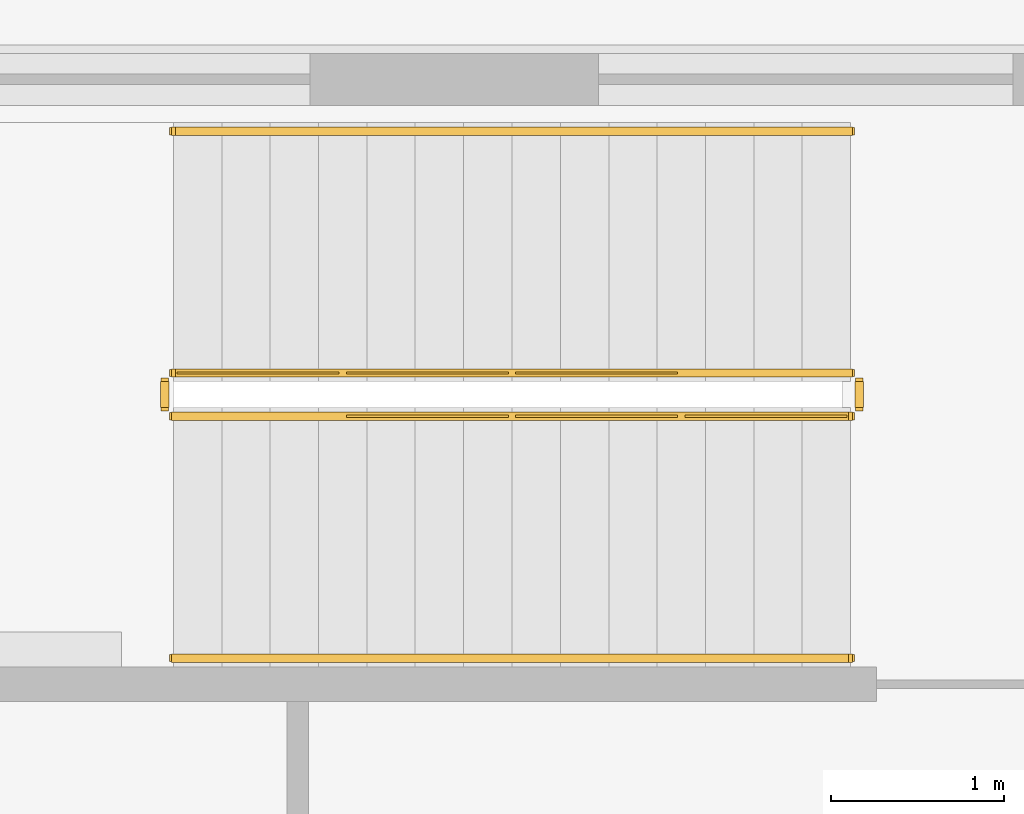
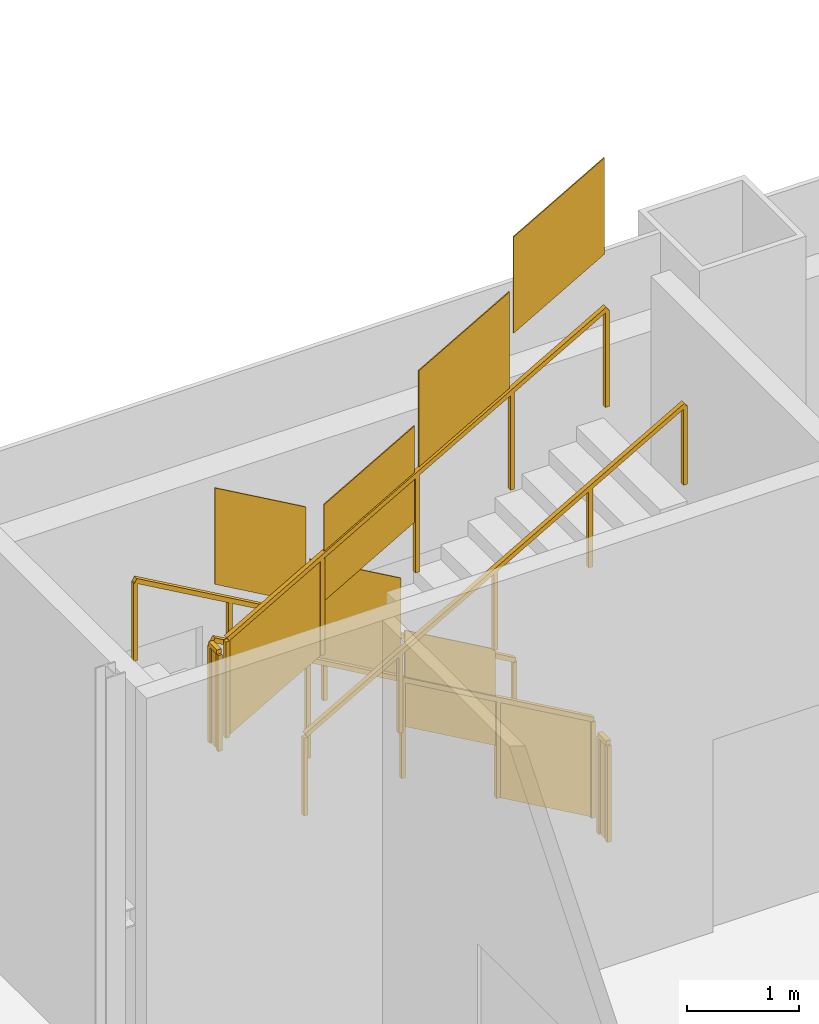
# One storey, part 23 of 26: 6 railings.
"""IFC4 building model written with IfcOpenShell, lengths in metres."""

import ifcopenshell
import ifcopenshell.guid

model = None  # the IFC model being written
_history = None  # IfcOwnerHistory: only IFC2X3 demands one
_inside = {}  # id of a spatial element -> (the spatial element, [elements in it])
_under = {}  # id of a project, library or spatial element -> (it, [spatial elements below it])
_declared = {}  # id of a project -> (the project, [libraries it declares])
_typed = {}  # id of a type object -> (the type object, [elements of that type])
_made_of = {}  # id of a material, layer set ... -> (it, [elements and type objects made of it])


def new_model(schema):
    """Start an empty IFC model of exactly this schema.

    Asked for "IFC4X3", IfcOpenShell would pick the latest addendum, in which some entities
    have other attributes; the version numbers below select the first issue.
    IFC2X3 requires an IfcOwnerHistory on every rooted entity: one is made here for all.
    """
    global model, _history
    if schema == "IFC4X3":
        model = ifcopenshell.file(schema_version=(4, 3, 0, 0))
    else:
        model = ifcopenshell.file(schema=schema)
    _inside.clear()
    _under.clear()
    _declared.clear()
    _typed.clear()
    _made_of.clear()
    _history = None
    if model.schema == "IFC2X3":
        org = make("IfcOrganization", Name="unknown")
        user = make(
            "IfcPersonAndOrganization",
            ThePerson=make("IfcPerson", FamilyName="unknown"),
            TheOrganization=org,
        )
        app = make(
            "IfcApplication",
            ApplicationDeveloper=org,
            Version="unknown",
            ApplicationFullName="unknown",
            ApplicationIdentifier="unknown",
        )
        _history = make(
            "IfcOwnerHistory",
            OwningUser=user,
            OwningApplication=app,
            ChangeAction="ADDED",
            CreationDate=0,
        )
    return model


def make(cls, **values):
    """One entity of the class cls with the attributes given. An attribute that is None is left unset."""
    return model.create_entity(
        cls, **{name: value for name, value in values.items() if value is not None}
    )


def rooted(cls, **values):
    """An entity with a GlobalId (a new one), such as an element, a storey or a relation."""
    return make(cls, GlobalId=ifcopenshell.guid.new(), OwnerHistory=_history, **values)


def si_unit(unit_type, name, prefix=None):
    """IfcSIUnit, for example si_unit("LENGTHUNIT", "METRE", prefix="MILLI")."""
    return make("IfcSIUnit", UnitType=unit_type, Prefix=prefix, Name=name)


def assignment(units):
    """IfcUnitAssignment: the units of a project."""
    return None if units is None else make("IfcUnitAssignment", Units=units)


def point(xyz):
    """IfcCartesianPoint."""
    return None if xyz is None else make("IfcCartesianPoint", Coordinates=xyz)


def direction(xyz):
    """IfcDirection."""
    return None if xyz is None else make("IfcDirection", DirectionRatios=xyz)


def frame(location, z_axis=None, x_axis=None):
    """IfcAxis2Placement3D, a coordinate frame: its origin and axes. An axis left out is left unset."""
    return make(
        "IfcAxis2Placement3D",
        Location=point(location),
        Axis=direction(z_axis),
        RefDirection=direction(x_axis),
    )


def frame_2d(location, x_axis=None):
    """IfcAxis2Placement2D, a coordinate frame in the plane: its origin and x axis."""
    return make(
        "IfcAxis2Placement2D", Location=point(location), RefDirection=direction(x_axis)
    )


def origin():
    """The frame at (0, 0, 0) with its axes left unset."""
    return frame((0.0, 0.0, 0.0))


def origin_2d():
    """The frame at (0, 0) in the plane with its x axis left unset."""
    return frame_2d((0.0, 0.0))


def place(relative_to, where):
    """IfcLocalPlacement: puts the frame where relative to a parent placement (None: the world)."""
    return make(
        "IfcLocalPlacement", PlacementRelTo=relative_to, RelativePlacement=where
    )


def context(
    kind, dimensions, precision=None, world=None, true_north=None, identifier=None
):
    """IfcGeometricRepresentationContext, for example the 3D "Model" context."""
    return make(
        "IfcGeometricRepresentationContext",
        ContextIdentifier=identifier,
        ContextType=kind,
        CoordinateSpaceDimension=dimensions,
        Precision=precision,
        WorldCoordinateSystem=world,
        TrueNorth=true_north,
    )


def subcontext(parent, identifier, kind, view, scale=None):
    """IfcGeometricRepresentationSubContext, for example "Body" below "Model"."""
    return make(
        "IfcGeometricRepresentationSubContext",
        ContextIdentifier=identifier,
        ContextType=kind,
        ParentContext=parent,
        TargetScale=scale,
        TargetView=view,
    )


def project(units=None, contexts=None):
    """IfcProject with its units and contexts."""
    return rooted(
        "IfcProject",
        Name="project",
        RepresentationContexts=contexts,
        UnitsInContext=assignment(units),
    )


def spatial(cls, under=None, at=None, **own):
    """A site, building, storey or space (cls), placed at a placement, below another one or the project."""
    s = rooted(cls, ObjectPlacement=at, **own)
    if under is not None:
        _under.setdefault(under.id(), (under, []))[1].append(s)
    return s


def polyline(points):
    """IfcPolyline through the points."""
    return make("IfcPolyline", Points=[point(p) for p in points])


def profile(cls, at=None, kind="AREA", **sizes):
    """A parametric profile (cls). Its sizes go by their IFC names, for example OverallWidth=200.0."""
    return make(cls, ProfileType=kind, Position=at, **sizes)


def rectangle(**sizes):
    """IfcRectangleProfileDef."""
    return profile("IfcRectangleProfileDef", **sizes)


def outline(outer, holes=None, kind="AREA"):
    """IfcArbitraryClosedProfileDef: a profile drawn as a closed curve; with holes, ...WithVoids."""
    if holes is None:
        return make("IfcArbitraryClosedProfileDef", ProfileType=kind, OuterCurve=outer)
    return make(
        "IfcArbitraryProfileDefWithVoids",
        ProfileType=kind,
        OuterCurve=outer,
        InnerCurves=holes,
    )


def extrude(swept, where, along, depth):
    """IfcExtrudedAreaSolid: the profile swept, set in the frame where, extruded along a direction by depth."""
    return make(
        "IfcExtrudedAreaSolid",
        SweptArea=swept,
        Position=where,
        ExtrudedDirection=direction(along),
        Depth=depth,
    )


def shape(context_of_items, identifier, shape_type, items):
    """IfcShapeRepresentation: the items that make up one representation, for example the "Body"."""
    return make(
        "IfcShapeRepresentation",
        ContextOfItems=context_of_items,
        RepresentationIdentifier=identifier,
        RepresentationType=shape_type,
        Items=items,
    )


def material(Name=None, Category=None):
    """IfcMaterial."""
    return make("IfcMaterial", Name=Name, Category=Category)


def made_of(thing, what):
    """Note that an element or type object is made of a material, layer set ...; save() writes the relation."""
    if what is not None:
        _made_of.setdefault(what.id(), (what, []))[1].append(thing)
    return thing


def type_object(cls, material=None, **own):
    """A type object (cls), such as IfcWallType, which elements share."""
    return made_of(rooted(cls, **own), material)


def element(
    cls,
    number,
    at=None,
    inside=None,
    cuts=None,
    type_object=None,
    material=None,
    context=None,
    identifier="Body",
    shape_type=None,
    held_by="IfcProductDefinitionShape",
    body=None,
    shapes=None,
    **own,
):
    """One element of the class cls, such as IfcWall. Its Tag is "e" and its number.

    at: its placement. inside: the storey or other place that contains it. cuts: it is an
    opening in that element (IfcRelVoidsElement). A single representation is given by context,
    identifier, shape_type and body (its items); several are given by shapes. held_by: the class
    of the entity that holds the representations. save() writes the other relations.
    """
    e = rooted(cls, Tag="e%d" % number, ObjectPlacement=at, **own)
    if body is not None:
        shapes = [shape(context, identifier, shape_type, body)]
    if shapes is not None:
        e.Representation = make(held_by, Representations=shapes)
    if inside is not None:
        _inside.setdefault(inside.id(), (inside, []))[1].append(e)
    if cuts is not None:
        rooted(
            "IfcRelVoidsElement", RelatingBuildingElement=cuts, RelatedOpeningElement=e
        )
    if type_object is not None:
        _typed.setdefault(type_object.id(), (type_object, []))[1].append(e)
    return made_of(e, material)


def aggregate(whole, parts):
    """IfcRelAggregates: a whole, such as a stair, and the parts it consists of."""
    return rooted("IfcRelAggregates", RelatingObject=whole, RelatedObjects=parts)


def save(model, path):
    """Write the relations noted so far, then the file.

    IfcRelAggregates (storeys below a building ...), IfcRelContainedInSpatialStructure (elements
    in a storey), IfcRelDefinesByType, IfcRelAssociatesMaterial and IfcRelDeclares: one each for
    every whole, place, type object, material and project.
    """
    for whole, parts in _under.values():
        aggregate(whole, parts)
    for where, things in _inside.values():
        rooted(
            "IfcRelContainedInSpatialStructure",
            RelatedElements=things,
            RelatingStructure=where,
        )
    for kind, things in _typed.values():
        rooted("IfcRelDefinesByType", RelatedObjects=things, RelatingType=kind)
    for what, things in _made_of.values():
        rooted("IfcRelAssociatesMaterial", RelatedObjects=things, RelatingMaterial=what)
    for by, libraries in _declared.values():
        rooted("IfcRelDeclares", RelatingContext=by, RelatedDefinitions=libraries)
    model.write(path)


model = new_model("IFC4")

# Units and contexts
model_context = context("Model", 3, precision=1e-05, world=origin(), true_north=direction((0.0, 1.0)))
body_context = subcontext(model_context, "Body", "Model", "MODEL_VIEW")
ifc_project = project(units=[si_unit("LENGTHUNIT", "METRE"), si_unit("AREAUNIT", "SQUARE_METRE"), si_unit("VOLUMEUNIT", "CUBIC_METRE"), si_unit("PLANEANGLEUNIT", "RADIAN"), si_unit("MASSUNIT", "GRAM", prefix="KILO")], contexts=[model_context])

# Site, building, storey
site_placement = place(None, origin())
site = spatial("IfcSite", under=ifc_project, at=site_placement, CompositionType="ELEMENT")
building_placement = place(site_placement, origin())
building = spatial("IfcBuilding", under=site, at=building_placement, Name="Cairn Pilgrim Tower", CompositionType="ELEMENT")
storey_placement = place(building_placement, frame((0.0, 0.0, 21.0)))
storey = spatial("IfcBuildingStorey", under=building, at=storey_placement, Name="L03", CompositionType="ELEMENT", Elevation=21.0)

# Railings
ifc_material = material(Name="Painted steel", Category="steel")
railing_type_1 = type_object("IfcRailingType", Name="PODIUM STAIR GUARD 1100", PredefinedType="GUARDRAIL", material=ifc_material)
railing_1_placement = place(storey_placement, frame((-25.60009765625, 26.5, 0.159912109375)))
element("IfcRailing", 1, at=railing_1_placement, inside=storey, type_object=railing_type_1, Name="L03 ST-HN stair guard 1", PredefinedType="GUARDRAIL", context=body_context, shape_type="SweptSolid", body=[
    extrude(rectangle(XDim=0.048095703125, YDim=0.048095703125, at=origin_2d()), frame((0.0, 0.0, 1.076171875), z_axis=(-0.868239814368, 0.0, 0.496144761885), x_axis=(0.0, -1.0, 0.0)), (0.0, 0.0, 1.0), 4.514892578125),
    extrude(rectangle(XDim=0.0419921875, YDim=0.0419921875, at=origin_2d()), origin(), (0.0, 0.0, 1.0), 1.052001953125),
    extrude(rectangle(XDim=0.0419921875, YDim=0.0419921875, at=origin_2d()), frame((-0.97998046875, 0.0, 0.56005859375)), (0.0, 0.0, 1.0), 1.052001953125),
    extrude(rectangle(XDim=0.0419921875, YDim=0.0419921875, at=origin_2d()), frame((-1.9599609375, 0.0, 1.1201171875)), (0.0, 0.0, 1.0), 1.052001953125),
    extrude(rectangle(XDim=0.0419921875, YDim=0.0419921875, at=origin_2d()), frame((-2.93994140625, 0.0, 1.679931640625)), (0.0, 0.0, 1.0), 1.052001953125),
    extrude(rectangle(XDim=0.0419921875, YDim=0.0419921875, at=origin_2d()), frame((-3.919921875, 0.0, 2.239990234375)), (0.0, 0.0, 1.0), 1.052001953125),
    extrude(outline(polyline([(0.02099609375, 0.011962890625), (0.958984375, 0.548095703125), (0.958984375, 1.60009765625), (0.02099609375, 1.06396484375), (0.02099609375, 0.011962890625)])), frame((0.0, -0.005859375, 0.0), z_axis=(0.0, 1.0, 0.0), x_axis=(-1.0, 0.0, 0.0)), (0.0, 0.0, 1.0), 0.011962890625),
    extrude(outline(polyline([(0.02099609375, 0.572021484375), (0.958984375, 1.10791015625), (0.958984375, 2.159912109375), (0.02099609375, 1.6240234375), (0.02099609375, 0.572021484375)])), frame((-0.97998046875, -0.005859375, 0.56005859375), z_axis=(0.0, 1.0, 0.0), x_axis=(-1.0, 0.0, 0.0)), (0.0, 0.0, 1.0), 0.011962890625),
    extrude(outline(polyline([(0.02099609375, 1.132080078125), (0.958984375, 1.66796875), (0.958984375, 2.719970703125), (0.02099609375, 2.18408203125), (0.02099609375, 1.132080078125)])), frame((-1.9599609375, -0.005859375, 1.1201171875), z_axis=(0.0, 1.0, 0.0), x_axis=(-1.0, 0.0, 0.0)), (0.0, 0.0, 1.0), 0.011962890625),
    extrude(outline(polyline([(0.02099609375, 1.69189453125), (0.958984375, 2.22802734375), (0.958984375, 3.280029296875), (0.02099609375, 2.743896484375), (0.02099609375, 1.69189453125)])), frame((-2.93994140625, -0.005859375, 1.679931640625), z_axis=(0.0, 1.0, 0.0), x_axis=(-1.0, 0.0, 0.0)), (0.0, 0.0, 1.0), 0.011962890625),
])
railing_2_placement = place(storey_placement, frame((-29.570068359375, 26.449951171875, 2.39990234375)))
element("IfcRailing", 2, at=railing_2_placement, inside=storey, type_object=railing_type_1, Name="L03 ST-HN stair guard 2", PredefinedType="GUARDRAIL", context=body_context, shape_type="SweptSolid", body=[
    extrude(rectangle(XDim=0.048095703125, YDim=0.048095703125, at=origin_2d()), frame((0.0, 0.0, 1.076171875), z_axis=(0.0, -1.0, 0.0), x_axis=(1.0, 0.0, 0.0)), (0.0, 0.0, 1.0), 0.14990234375),
    extrude(rectangle(XDim=0.0419921875, YDim=0.0419921875, at=origin_2d()), origin(), (0.0, 0.0, 1.0), 1.052001953125),
    extrude(rectangle(XDim=0.0419921875, YDim=0.0419921875, at=origin_2d()), frame((0.0, -0.14990234375, 0.0)), (0.0, 0.0, 1.0), 1.052001953125),
    extrude(outline(polyline([(0.02099609375, 0.0), (0.12890625, 0.0), (0.12890625, 1.052001953125), (0.02099609375, 1.052001953125), (0.02099609375, 0.0)])), frame((0.005859375, 0.0, 0.0), z_axis=(-1.0, 0.0, 0.0), x_axis=(0.0, -1.0, 0.0)), (0.0, 0.0, 1.0), 0.011962890625),
])
railing_3_placement = place(storey_placement, frame((-29.52001953125, 26.25, 2.56005859375)))
element("IfcRailing", 3, at=railing_3_placement, inside=storey, type_object=railing_type_1, Name="L03 ST-HN stair guard 3", PredefinedType="GUARDRAIL", context=body_context, shape_type="SweptSolid", body=[
    extrude(rectangle(XDim=0.048095703125, YDim=0.048095703125, at=origin_2d()), frame((0.0, 0.0, 1.076171875), z_axis=(0.868239814368, 0.0, 0.496144761885), x_axis=(0.0, 1.0, 0.0)), (0.0, 0.0, 1.0), 4.514892578125),
    extrude(rectangle(XDim=0.0419921875, YDim=0.0419921875, at=origin_2d()), origin(), (0.0, 0.0, 1.0), 1.052001953125),
    extrude(rectangle(XDim=0.0419921875, YDim=0.0419921875, at=origin_2d()), frame((0.97998046875, 0.0, 0.56005859375)), (0.0, 0.0, 1.0), 1.052001953125),
    extrude(rectangle(XDim=0.0419921875, YDim=0.0419921875, at=origin_2d()), frame((1.9599609375, 0.0, 1.1201171875)), (0.0, 0.0, 1.0), 1.052001953125),
    extrude(rectangle(XDim=0.0419921875, YDim=0.0419921875, at=origin_2d()), frame((2.93994140625, 0.0, 1.679931640625)), (0.0, 0.0, 1.0), 1.052001953125),
    extrude(rectangle(XDim=0.0419921875, YDim=0.0419921875, at=origin_2d()), frame((3.919921875, 0.0, 2.239990234375)), (0.0, 0.0, 1.0), 1.052001953125),
    extrude(outline(polyline([(0.02099609375, 0.011962890625), (0.958984375, 0.548095703125), (0.958984375, 1.60009765625), (0.02099609375, 1.06396484375), (0.02099609375, 0.011962890625)])), frame((0.0, 0.005859375, 0.0), z_axis=(0.0, -1.0, 0.0), x_axis=(1.0, 0.0, 0.0)), (0.0, 0.0, 1.0), 0.011962890625),
    extrude(outline(polyline([(0.02099609375, 0.572021484375), (0.958984375, 1.10791015625), (0.958984375, 2.159912109375), (0.02099609375, 1.6240234375), (0.02099609375, 0.572021484375)])), frame((0.97998046875, 0.005859375, 0.56005859375), z_axis=(0.0, -1.0, 0.0), x_axis=(1.0, 0.0, 0.0)), (0.0, 0.0, 1.0), 0.011962890625),
    extrude(outline(polyline([(0.02099609375, 1.132080078125), (0.958984375, 1.66796875), (0.958984375, 2.719970703125), (0.02099609375, 2.18408203125), (0.02099609375, 1.132080078125)])), frame((1.9599609375, 0.005859375, 1.1201171875), z_axis=(0.0, -1.0, 0.0), x_axis=(1.0, 0.0, 0.0)), (0.0, 0.0, 1.0), 0.011962890625),
    extrude(outline(polyline([(0.02099609375, 1.69189453125), (0.958984375, 2.22802734375), (0.958984375, 3.280029296875), (0.02099609375, 2.743896484375), (0.02099609375, 1.69189453125)])), frame((2.93994140625, 0.005859375, 1.679931640625), z_axis=(0.0, -1.0, 0.0), x_axis=(1.0, 0.0, 0.0)), (0.0, 0.0, 1.0), 0.011962890625),
])
railing_4_placement = place(storey_placement, frame((-25.550048828125, 26.449951171875, 0.0)))
element("IfcRailing", 4, at=railing_4_placement, inside=storey, type_object=railing_type_1, Name="L03 ST-HN stair guard 4", PredefinedType="GUARDRAIL", context=body_context, shape_type="SweptSolid", body=[
    extrude(rectangle(XDim=0.048095703125, YDim=0.048095703125, at=origin_2d()), frame((0.0, 0.0, 1.076171875), z_axis=(0.0, -1.0, 0.0), x_axis=(1.0, 0.0, 0.0)), (0.0, 0.0, 1.0), 0.14990234375),
    extrude(rectangle(XDim=0.0419921875, YDim=0.0419921875, at=origin_2d()), origin(), (0.0, 0.0, 1.0), 1.052001953125),
    extrude(rectangle(XDim=0.0419921875, YDim=0.0419921875, at=origin_2d()), frame((0.0, -0.14990234375, 0.0)), (0.0, 0.0, 1.0), 1.052001953125),
    extrude(outline(polyline([(0.02099609375, 0.0), (0.12890625, 0.0), (0.12890625, 1.052001953125), (0.02099609375, 1.052001953125), (0.02099609375, 0.0)])), frame((0.005859375, 0.0, 0.0), z_axis=(-1.0, 0.0, 0.0), x_axis=(0.0, -1.0, 0.0)), (0.0, 0.0, 1.0), 0.011962890625),
])
railing_type_2 = type_object("IfcRailingType", Name="PODIUM STAIR HANDRAIL 900", PredefinedType="HANDRAIL", material=ifc_material)
railing_5_placement = place(storey_placement, frame((-25.60009765625, 27.89990234375, 0.159912109375)))
element("IfcRailing", 5, at=railing_5_placement, inside=storey, type_object=railing_type_2, Name="L03 ST-HN stair handrail 1", PredefinedType="HANDRAIL", context=body_context, shape_type="SweptSolid", body=[
    extrude(rectangle(XDim=0.048095703125, YDim=0.048095703125, at=origin_2d()), frame((0.0, 0.0, 0.8759765625), z_axis=(-0.868239814368, 0.0, 0.496144761885), x_axis=(0.0, -1.0, 0.0)), (0.0, 0.0, 1.0), 4.514892578125),
    extrude(rectangle(XDim=0.0419921875, YDim=0.0419921875, at=origin_2d()), origin(), (0.0, 0.0, 1.0), 0.851806640625),
    extrude(rectangle(XDim=0.0419921875, YDim=0.0419921875, at=origin_2d()), frame((-0.97998046875, 0.0, 0.56005859375)), (0.0, 0.0, 1.0), 0.851806640625),
    extrude(rectangle(XDim=0.0419921875, YDim=0.0419921875, at=origin_2d()), frame((-1.9599609375, 0.0, 1.1201171875)), (0.0, 0.0, 1.0), 0.851806640625),
    extrude(rectangle(XDim=0.0419921875, YDim=0.0419921875, at=origin_2d()), frame((-2.93994140625, 0.0, 1.679931640625)), (0.0, 0.0, 1.0), 0.851806640625),
    extrude(rectangle(XDim=0.0419921875, YDim=0.0419921875, at=origin_2d()), frame((-3.919921875, 0.0, 2.239990234375)), (0.0, 0.0, 1.0), 0.851806640625),
])
railing_6_placement = place(storey_placement, frame((-29.52001953125, 24.85009765625, 2.56005859375)))
element("IfcRailing", 6, at=railing_6_placement, inside=storey, type_object=railing_type_2, Name="L03 ST-HN stair handrail 2", PredefinedType="HANDRAIL", context=body_context, shape_type="SweptSolid", body=[
    extrude(rectangle(XDim=0.048095703125, YDim=0.048095703125, at=origin_2d()), frame((0.0, 0.0, 0.8759765625), z_axis=(0.868239814368, 0.0, 0.496144761885), x_axis=(0.0, 1.0, 0.0)), (0.0, 0.0, 1.0), 4.514892578125),
    extrude(rectangle(XDim=0.0419921875, YDim=0.0419921875, at=origin_2d()), origin(), (0.0, 0.0, 1.0), 0.851806640625),
    extrude(rectangle(XDim=0.0419921875, YDim=0.0419921875, at=origin_2d()), frame((0.97998046875, 0.0, 0.56005859375)), (0.0, 0.0, 1.0), 0.851806640625),
    extrude(rectangle(XDim=0.0419921875, YDim=0.0419921875, at=origin_2d()), frame((1.9599609375, 0.0, 1.1201171875)), (0.0, 0.0, 1.0), 0.851806640625),
    extrude(rectangle(XDim=0.0419921875, YDim=0.0419921875, at=origin_2d()), frame((2.93994140625, 0.0, 1.679931640625)), (0.0, 0.0, 1.0), 0.851806640625),
    extrude(rectangle(XDim=0.0419921875, YDim=0.0419921875, at=origin_2d()), frame((3.919921875, 0.0, 2.239990234375)), (0.0, 0.0, 1.0), 0.851806640625),
])

save(model, "model.ifc")
